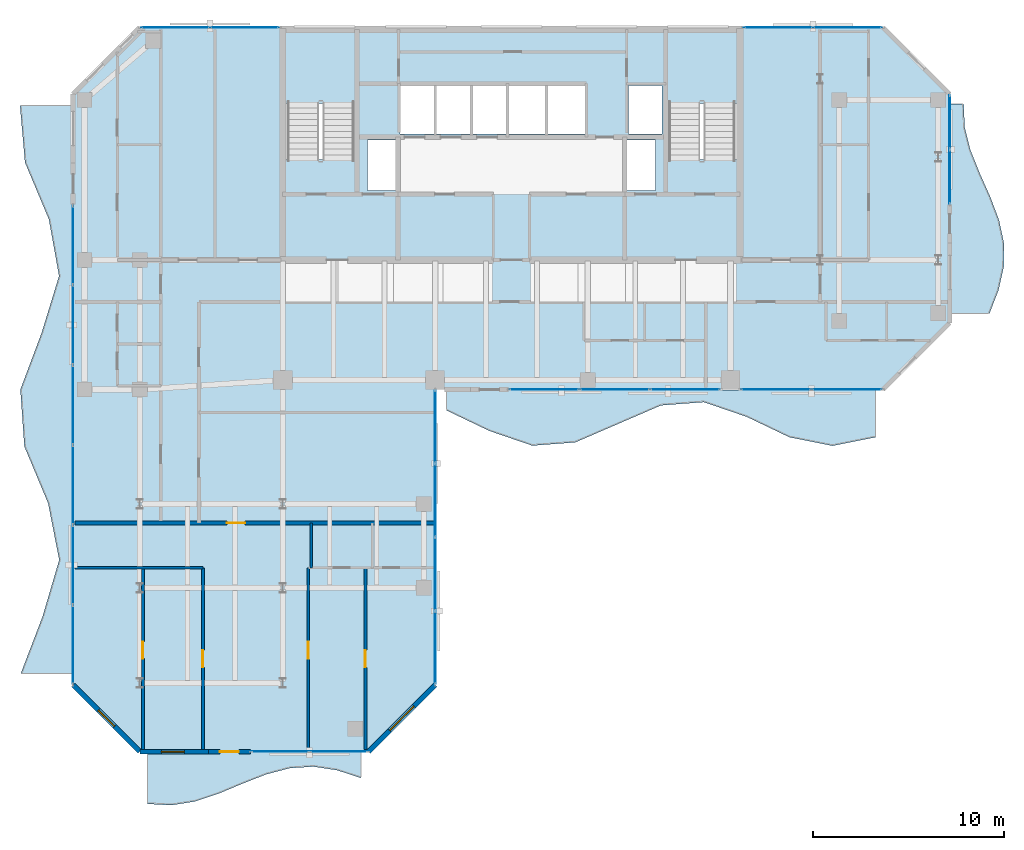
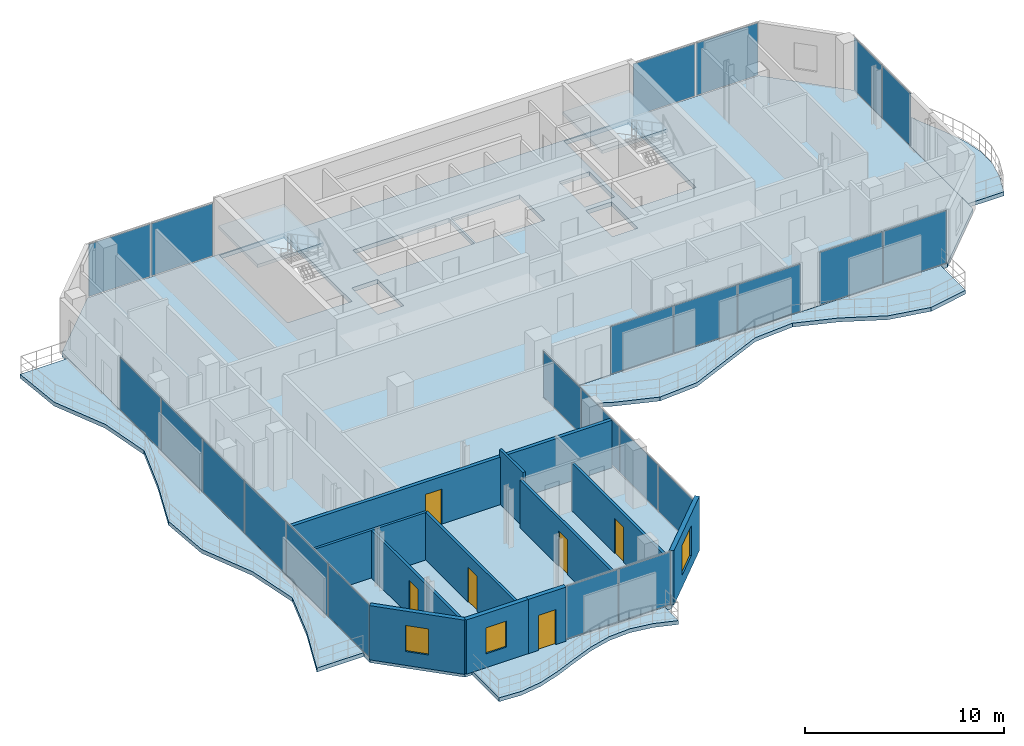
# One storey, part 17 of 23: 23 plates, 11 walls, 7 slabs, 6 doors, 3 windows, 9 openings, 10 elements without a shape of their own.
"""IFC4 building model written with IfcOpenShell, lengths in metres."""

from ifc_helpers import new_model, si_unit, direction, frame, frame_2d, origin, origin_2d, place, context, subcontext, project, spatial, polyline, rectangle, outline, extrude, material, layer, layer_set, type_object, element, fill, aggregate, save


model = new_model("IFC4")

# Units and contexts
model_context = context("Model", 3, precision=1e-05, world=origin(), true_north=direction((0.0, 1.0)))
body_context = subcontext(model_context, "Body", "Model", "MODEL_VIEW")
ifc_project = project(units=[si_unit("LENGTHUNIT", "METRE"), si_unit("AREAUNIT", "SQUARE_METRE"), si_unit("VOLUMEUNIT", "CUBIC_METRE"), si_unit("PLANEANGLEUNIT", "RADIAN"), si_unit("MASSUNIT", "GRAM", prefix="KILO")], contexts=[model_context])

# Site, building, storey
site_placement = place(None, origin())
site = spatial("IfcSite", under=ifc_project, at=site_placement, CompositionType="ELEMENT")
building_placement = place(site_placement, origin())
building = spatial("IfcBuilding", under=site, at=building_placement, Name="Catumbela Crestline Tower", CompositionType="ELEMENT")
storey_placement = place(building_placement, frame((0.0, 0.0, 186.6)))
storey = spatial("IfcBuildingStorey", under=building, at=storey_placement, Name="L48", CompositionType="ELEMENT", Elevation=186.6)

# Curtain wall, plates
ifc_material_1 = material(Name="Aluminium alloy AW-6060-T66", Category="aluminium")
ifc_layer_1 = layer(ifc_material_1, 0.18, Name="Aluminium alloy AW-6060-T66")
ifc_layer_set_1 = layer_set([ifc_layer_1], Name="Aluminium alloy AW-6060-T66")
curtain_wall_type = type_object("IfcCurtainWallType", Name="CWU-Z3", PredefinedType="USERDEFINED", material=ifc_layer_set_1)
curtain_wall_1_placement = place(storey_placement, origin())
curtain_wall_1 = element("IfcCurtainWall", 1, at=curtain_wall_1_placement, inside=storey, type_object=curtain_wall_type, Name="L48 Unitised Curtain Wall CW-L48-E0S2", ObjectType="UNITISED", PredefinedType="USERDEFINED")
ifc_material_2 = material(Name="Low-E laminated solar-control double glazing", Category="glass")
ifc_layer_2 = layer(ifc_material_2, 0.036, Name="Low-E laminated solar-control double glazing")
ifc_layer_set_2 = layer_set([ifc_layer_2], Name="Low-E laminated solar-control double glazing")
plate_type = type_object("IfcPlateType", Name="PNL-GLZ-Z3", PredefinedType="CURTAIN_PANEL", material=ifc_layer_set_2)
plate_1_placement = place(storey_placement, frame((15.8662, 5.0, 0.06), z_axis=(0.0, 0.0, 1.0), x_axis=(1.0, 0.0, 0.0)))
plate_1 = element("IfcPlate", 2, at=plate_1_placement, type_object=plate_type, Name="CWU-Z3 panel 1.1", PredefinedType="CURTAIN_PANEL", context=body_context, shape_type="SweptSolid", body=[
    extrude(rectangle(XDim=3.0025, YDim=0.034, at=origin_2d()), origin(), (0.0, 0.0, 1.0), 3.21),
])
plate_2_placement = place(storey_placement, frame((18.9338, 5.0, 0.06), z_axis=(0.0, 0.0, 1.0), x_axis=(1.0, 0.0, 0.0)))
plate_2 = element("IfcPlate", 3, at=plate_2_placement, type_object=plate_type, Name="CWU-Z3 panel 2.1", PredefinedType="CURTAIN_PANEL", context=body_context, shape_type="SweptSolid", body=[
    extrude(rectangle(XDim=3.0025, YDim=0.034, at=origin_2d()), origin(), (0.0, 0.0, 1.0), 3.21),
])
aggregate(curtain_wall_1, [plate_1, plate_2])

curtain_wall_2_placement = place(storey_placement, origin())
curtain_wall_2 = element("IfcCurtainWall", 4, at=curtain_wall_2_placement, inside=storey, type_object=curtain_wall_type, Name="L48 Unitised Curtain Wall CW-L48-E2S1", ObjectType="UNITISED", PredefinedType="USERDEFINED")
plate_3_placement = place(storey_placement, frame((24.0, 10.4538, 0.06), z_axis=(0.0, 0.0, 1.0), x_axis=(0.0, 1.0, 0.0)))
plate_3 = element("IfcPlate", 5, at=plate_3_placement, type_object=plate_type, Name="CWU-Z3 panel 1.1", PredefinedType="CURTAIN_PANEL", context=body_context, shape_type="SweptSolid", body=[
    extrude(rectangle(XDim=3.7775, YDim=0.034, at=origin_2d()), origin(), (0.0, 0.0, 1.0), 2.8),
])
plate_4_placement = place(storey_placement, frame((24.0, 14.3125, 0.06), z_axis=(0.0, 0.0, 1.0), x_axis=(0.0, 1.0, 0.0)))
plate_4 = element("IfcPlate", 6, at=plate_4_placement, type_object=plate_type, Name="CWU-Z3 panel 2.1", PredefinedType="CURTAIN_PANEL", context=body_context, shape_type="SweptSolid", body=[
    extrude(rectangle(XDim=3.81, YDim=0.034, at=origin_2d()), origin(), (0.0, 0.0, 1.0), 2.8),
])
plate_5_placement = place(storey_placement, frame((24.0, 18.1875, 0.06), z_axis=(0.0, 0.0, 1.0), x_axis=(0.0, 1.0, 0.0)))
plate_5 = element("IfcPlate", 7, at=plate_5_placement, type_object=plate_type, Name="CWU-Z3 panel 3.1", PredefinedType="CURTAIN_PANEL", context=body_context, shape_type="SweptSolid", body=[
    extrude(rectangle(XDim=3.81, YDim=0.034, at=origin_2d()), origin(), (0.0, 0.0, 1.0), 2.8),
])
plate_6_placement = place(storey_placement, frame((24.0, 22.0462, 0.06), z_axis=(0.0, 0.0, 1.0), x_axis=(0.0, 1.0, 0.0)))
plate_6 = element("IfcPlate", 8, at=plate_6_placement, type_object=plate_type, Name="CWU-Z3 panel 4.1", PredefinedType="CURTAIN_PANEL", context=body_context, shape_type="SweptSolid", body=[
    extrude(rectangle(XDim=3.7775, YDim=0.034, at=origin_2d()), origin(), (0.0, 0.0, 1.0), 2.8),
])
aggregate(curtain_wall_2, [plate_3, plate_4, plate_5, plate_6])

curtain_wall_3_placement = place(storey_placement, origin())
curtain_wall_3 = element("IfcCurtainWall", 9, at=curtain_wall_3_placement, inside=storey, type_object=curtain_wall_type, Name="L48 Unitised Curtain Wall CW-L48-E3S2", ObjectType="UNITISED", PredefinedType="USERDEFINED")
plate_7_placement = place(storey_placement, frame((29.7246, 24.0, 0.06), z_axis=(0.0, 0.0, 1.0), x_axis=(1.0, 0.0, 0.0)))
plate_7 = element("IfcPlate", 10, at=plate_7_placement, type_object=plate_type, Name="CWU-Z3 panel 1.1", PredefinedType="CURTAIN_PANEL", context=body_context, shape_type="SweptSolid", body=[
    extrude(rectangle(XDim=3.6192, YDim=0.034, at=origin_2d()), origin(), (0.0, 0.0, 1.0), 2.9),
])
plate_8_placement = place(storey_placement, frame((33.425, 24.0, 0.06), z_axis=(0.0, 0.0, 1.0), x_axis=(1.0, 0.0, 0.0)))
plate_8 = element("IfcPlate", 11, at=plate_8_placement, type_object=plate_type, Name="CWU-Z3 panel 2.1", PredefinedType="CURTAIN_PANEL", context=body_context, shape_type="SweptSolid", body=[
    extrude(rectangle(XDim=3.6517, YDim=0.034, at=origin_2d()), origin(), (0.0, 0.0, 1.0), 2.9),
])
plate_9_placement = place(storey_placement, frame((37.1254, 24.0, 0.06), z_axis=(0.0, 0.0, 1.0), x_axis=(1.0, 0.0, 0.0)))
plate_9 = element("IfcPlate", 12, at=plate_9_placement, type_object=plate_type, Name="CWU-Z3 panel 3.1", PredefinedType="CURTAIN_PANEL", context=body_context, shape_type="SweptSolid", body=[
    extrude(rectangle(XDim=3.6192, YDim=0.034, at=origin_2d()), origin(), (0.0, 0.0, 1.0), 2.9),
])
aggregate(curtain_wall_3, [plate_7, plate_8, plate_9])

curtain_wall_4_placement = place(storey_placement, origin())
curtain_wall_4 = element("IfcCurtainWall", 13, at=curtain_wall_4_placement, inside=storey, type_object=curtain_wall_type, Name="L48 Unitised Curtain Wall CW-L48-E3S3", ObjectType="UNITISED", PredefinedType="USERDEFINED")
plate_10_placement = place(storey_placement, frame((41.8912, 24.0, 0.06), z_axis=(0.0, 0.0, 1.0), x_axis=(1.0, 0.0, 0.0)))
plate_10 = element("IfcPlate", 14, at=plate_10_placement, type_object=plate_type, Name="CWU-Z3 panel 1.1", PredefinedType="CURTAIN_PANEL", context=body_context, shape_type="SweptSolid", body=[
    extrude(rectangle(XDim=3.6525, YDim=0.034, at=origin_2d()), origin(), (0.0, 0.0, 1.0), 3.21),
])
plate_11_placement = place(storey_placement, frame((45.6088, 24.0, 0.06), z_axis=(0.0, 0.0, 1.0), x_axis=(1.0, 0.0, 0.0)))
plate_11 = element("IfcPlate", 15, at=plate_11_placement, type_object=plate_type, Name="CWU-Z3 panel 2.1", PredefinedType="CURTAIN_PANEL", context=body_context, shape_type="SweptSolid", body=[
    extrude(rectangle(XDim=3.6525, YDim=0.034, at=origin_2d()), origin(), (0.0, 0.0, 1.0), 3.21),
])
aggregate(curtain_wall_4, [plate_10, plate_11])

curtain_wall_5_placement = place(storey_placement, origin())
curtain_wall_5 = element("IfcCurtainWall", 16, at=curtain_wall_5_placement, inside=storey, type_object=curtain_wall_type, Name="L48 Unitised Curtain Wall CW-L48-E5S2", ObjectType="UNITISED", PredefinedType="USERDEFINED")
plate_12_placement = place(storey_placement, frame((51.0, 35.1662, 0.06), z_axis=(0.0, 0.0, 1.0), x_axis=(0.0, 1.0, 0.0)))
plate_12 = element("IfcPlate", 17, at=plate_12_placement, type_object=plate_type, Name="CWU-Z3 panel 1.1", PredefinedType="CURTAIN_PANEL", context=body_context, shape_type="SweptSolid", body=[
    extrude(rectangle(XDim=2.8025, YDim=0.034, at=origin_2d()), origin(), (0.0, 0.0, 1.0), 3.21),
])
plate_13_placement = place(storey_placement, frame((51.0, 38.0338, 0.06), z_axis=(0.0, 0.0, 1.0), x_axis=(0.0, 1.0, 0.0)))
plate_13 = element("IfcPlate", 18, at=plate_13_placement, type_object=plate_type, Name="CWU-Z3 panel 2.1", PredefinedType="CURTAIN_PANEL", context=body_context, shape_type="SweptSolid", body=[
    extrude(rectangle(XDim=2.8025, YDim=0.034, at=origin_2d()), origin(), (0.0, 0.0, 1.0), 3.21),
])
aggregate(curtain_wall_5, [plate_12, plate_13])

curtain_wall_6_placement = place(storey_placement, origin())
curtain_wall_6 = element("IfcCurtainWall", 19, at=curtain_wall_6_placement, inside=storey, type_object=curtain_wall_type, Name="L48 Unitised Curtain Wall CW-L48-E7S1", ObjectType="UNITISED", PredefinedType="USERDEFINED")
plate_14_placement = place(storey_placement, frame((45.6438, 43.0, 0.06), z_axis=(0.0, 0.0, 1.0), x_axis=(-1.0, 0.0, 0.0)))
plate_14 = element("IfcPlate", 20, at=plate_14_placement, type_object=plate_type, Name="CWU-Z3 panel 1.1", PredefinedType="CURTAIN_PANEL", context=body_context, shape_type="SweptSolid", body=[
    extrude(rectangle(XDim=3.5825, YDim=0.034, at=origin_2d()), origin(), (0.0, 0.0, 1.0), 3.21),
])
plate_15_placement = place(storey_placement, frame((41.9963, 43.0, 0.06), z_axis=(0.0, 0.0, 1.0), x_axis=(-1.0, 0.0, 0.0)))
plate_15 = element("IfcPlate", 21, at=plate_15_placement, type_object=plate_type, Name="CWU-Z3 panel 2.1", PredefinedType="CURTAIN_PANEL", context=body_context, shape_type="SweptSolid", body=[
    extrude(rectangle(XDim=3.5825, YDim=0.034, at=origin_2d()), origin(), (0.0, 0.0, 1.0), 3.21),
])
aggregate(curtain_wall_6, [plate_14, plate_15])

curtain_wall_7_placement = place(storey_placement, origin())
curtain_wall_7 = element("IfcCurtainWall", 22, at=curtain_wall_7_placement, inside=storey, type_object=curtain_wall_type, Name="L48 Unitised Curtain Wall CW-L48-E7S2", ObjectType="UNITISED", PredefinedType="USERDEFINED")
plate_16_placement = place(storey_placement, frame((14.0038, 43.0, 0.06), z_axis=(0.0, 0.0, 1.0), x_axis=(-1.0, 0.0, 0.0)))
plate_16 = element("IfcPlate", 23, at=plate_16_placement, type_object=plate_type, Name="CWU-Z3 panel 1.1", PredefinedType="CURTAIN_PANEL", context=body_context, shape_type="SweptSolid", body=[
    extrude(rectangle(XDim=3.5825, YDim=0.034, at=origin_2d()), origin(), (0.0, 0.0, 1.0), 3.21),
])
plate_17_placement = place(storey_placement, frame((10.3562, 43.0, 0.06), z_axis=(0.0, 0.0, 1.0), x_axis=(-1.0, 0.0, 0.0)))
plate_17 = element("IfcPlate", 24, at=plate_17_placement, type_object=plate_type, Name="CWU-Z3 panel 2.1", PredefinedType="CURTAIN_PANEL", context=body_context, shape_type="SweptSolid", body=[
    extrude(rectangle(XDim=3.5825, YDim=0.034, at=origin_2d()), origin(), (0.0, 0.0, 1.0), 3.21),
])
aggregate(curtain_wall_7, [plate_16, plate_17])

curtain_wall_8_placement = place(storey_placement, origin())
curtain_wall_8 = element("IfcCurtainWall", 25, at=curtain_wall_8_placement, inside=storey, type_object=curtain_wall_type, Name="L48 Unitised Curtain Wall CW-L48-E9S2", ObjectType="UNITISED", PredefinedType="USERDEFINED")
plate_18_placement = place(storey_placement, frame((5.0, 31.5838, 0.06), z_axis=(0.0, 0.0, 1.0), x_axis=(0.0, -1.0, 0.0)))
plate_18 = element("IfcPlate", 26, at=plate_18_placement, type_object=plate_type, Name="CWU-Z3 panel 1.1", PredefinedType="CURTAIN_PANEL", context=body_context, shape_type="SweptSolid", body=[
    extrude(rectangle(XDim=4.1025, YDim=0.034, at=origin_2d()), origin(), (0.0, 0.0, 1.0), 3.21),
])
plate_19_placement = place(storey_placement, frame((5.0, 27.4, 0.06), z_axis=(0.0, 0.0, 1.0), x_axis=(0.0, -1.0, 0.0)))
plate_19 = element("IfcPlate", 27, at=plate_19_placement, type_object=plate_type, Name="CWU-Z3 panel 2.1", PredefinedType="CURTAIN_PANEL", context=body_context, shape_type="SweptSolid", body=[
    extrude(rectangle(XDim=4.135, YDim=0.034, at=origin_2d()), origin(), (0.0, 0.0, 1.0), 3.21),
])
plate_20_placement = place(storey_placement, frame((5.0, 23.2, 0.06), z_axis=(0.0, 0.0, 1.0), x_axis=(0.0, -1.0, 0.0)))
plate_20 = element("IfcPlate", 28, at=plate_20_placement, type_object=plate_type, Name="CWU-Z3 panel 3.1", PredefinedType="CURTAIN_PANEL", context=body_context, shape_type="SweptSolid", body=[
    extrude(rectangle(XDim=4.135, YDim=0.034, at=origin_2d()), origin(), (0.0, 0.0, 1.0), 3.21),
])
plate_21_placement = place(storey_placement, frame((5.0, 19.0, 0.06), z_axis=(0.0, 0.0, 1.0), x_axis=(0.0, -1.0, 0.0)))
plate_21 = element("IfcPlate", 29, at=plate_21_placement, type_object=plate_type, Name="CWU-Z3 panel 4.1", PredefinedType="CURTAIN_PANEL", context=body_context, shape_type="SweptSolid", body=[
    extrude(rectangle(XDim=4.135, YDim=0.034, at=origin_2d()), origin(), (0.0, 0.0, 1.0), 3.21),
])
plate_22_placement = place(storey_placement, frame((5.0, 14.8, 0.06), z_axis=(0.0, 0.0, 1.0), x_axis=(0.0, -1.0, 0.0)))
plate_22 = element("IfcPlate", 30, at=plate_22_placement, type_object=plate_type, Name="CWU-Z3 panel 5.1", PredefinedType="CURTAIN_PANEL", context=body_context, shape_type="SweptSolid", body=[
    extrude(rectangle(XDim=4.135, YDim=0.034, at=origin_2d()), origin(), (0.0, 0.0, 1.0), 3.21),
])
plate_23_placement = place(storey_placement, frame((5.0, 10.6163, 0.06), z_axis=(0.0, 0.0, 1.0), x_axis=(0.0, -1.0, 0.0)))
plate_23 = element("IfcPlate", 31, at=plate_23_placement, type_object=plate_type, Name="CWU-Z3 panel 6.1", PredefinedType="CURTAIN_PANEL", context=body_context, shape_type="SweptSolid", body=[
    extrude(rectangle(XDim=4.1025, YDim=0.034, at=origin_2d()), origin(), (0.0, 0.0, 1.0), 3.21),
])
aggregate(curtain_wall_8, [plate_18, plate_19, plate_20, plate_21, plate_22, plate_23])

# Stair, slab
ifc_material_3 = material(Name="Concrete C45/55", Category="concrete")
stair_type = type_object("IfcStairType", Name="ST-DLG", PredefinedType="HALF_TURN_STAIR", material=ifc_material_3)
stair_1_placement = place(storey_placement, origin())
stair_1 = element("IfcStair", 32, at=stair_1_placement, inside=storey, type_object=stair_type, Name="L48 West Core Pressurised Exit Stair ST-01", PredefinedType="HALF_TURN_STAIR")
ifc_layer_3 = layer(ifc_material_3, 0.2, Name="Concrete C45/55")
ifc_layer_set_3 = layer_set([ifc_layer_3], Name="Concrete C45/55")
slab_type_1 = type_object("IfcSlabType", Name="SL-LND", PredefinedType="LANDING", material=ifc_layer_set_3)
slab_1_placement = place(storey_placement, frame((0.0, 0.0, 1.6)))
slab_1 = element("IfcSlab", 33, at=slab_1_placement, type_object=slab_type_1, Name="ST-01 landing 1", PredefinedType="LANDING", context=body_context, shape_type="SweptSolid", body=[
    extrude(outline(polyline([(19.91, 39.02), (19.91, 42.96), (16.09, 42.96), (16.09, 39.02), (19.91, 39.02)])), origin(), (0.0, 0.0, 1.0), 0.2),
])
aggregate(stair_1, [slab_1])

stair_2_placement = place(storey_placement, origin())
stair_2 = element("IfcStair", 34, at=stair_2_placement, inside=storey, type_object=stair_type, Name="L48 East Core Pressurised Exit Stair ST-02", PredefinedType="HALF_TURN_STAIR")
slab_2_placement = place(storey_placement, frame((0.0, 0.0, 1.6)))
slab_2 = element("IfcSlab", 35, at=slab_2_placement, type_object=slab_type_1, Name="ST-02 landing 1", PredefinedType="LANDING", context=body_context, shape_type="SweptSolid", body=[
    extrude(outline(polyline([(39.91, 39.02), (39.91, 42.96), (36.09, 42.96), (36.09, 39.02), (39.91, 39.02)])), origin(), (0.0, 0.0, 1.0), 0.2),
])
aggregate(stair_2, [slab_2])

# Slabs
ifc_layer_4 = layer(ifc_material_3, 0.26, Name="Concrete C45/55")
ifc_layer_set_4 = layer_set([ifc_layer_4], Name="Concrete C45/55")
slab_type_2 = type_object("IfcSlabType", Name="SL-260", PredefinedType="FLOOR", material=ifc_layer_set_4)
slab_3_placement = place(storey_placement, frame((0.0, 0.0, -0.26)))
element("IfcSlab", 36, at=slab_3_placement, inside=storey, type_object=slab_type_2, Name="L48 Structural Floor Slab", PredefinedType="FLOOR", context=body_context, shape_type="SweptSolid", body=[
    extrude(outline(polyline([(8.5, 5.0), (20.5, 5.0), (24.0, 8.5), (24.0, 24.0), (47.5, 24.0), (51.0, 27.5), (51.0, 39.5), (47.5, 43.0), (8.5, 43.0), (5.0, 39.5), (5.0, 8.5), (8.5, 5.0)]), holes=[polyline([(16.13, 36.08), (19.87, 36.08), (19.87, 42.92), (16.13, 42.92), (16.13, 36.08)]), polyline([(36.13, 36.08), (39.87, 36.08), (39.87, 42.92), (36.13, 42.92), (36.13, 36.08)]), polyline([(22.15, 37.4), (27.75, 37.4), (27.75, 39.95), (22.15, 39.95), (22.15, 37.4)]), polyline([(27.85, 37.4), (31.85, 37.4), (31.85, 39.95), (27.85, 39.95), (27.85, 37.4)]), polyline([(20.45, 34.45), (21.95, 34.45), (21.95, 37.1), (20.45, 37.1), (20.45, 34.45)]), polyline([(34.05, 34.45), (35.55, 34.45), (35.55, 37.1), (34.05, 37.1), (34.05, 34.45)]), polyline([(34.15, 37.4), (35.9, 37.4), (35.9, 39.95), (34.15, 39.95), (34.15, 37.4)])]), origin(), (0.0, 0.0, 1.0), 0.26),
])
ifc_layer_5 = layer(ifc_material_3, 0.24, Name="Concrete C45/55")
ifc_layer_set_5 = layer_set([ifc_layer_5], Name="Concrete C45/55")
slab_type_3 = type_object("IfcSlabType", Name="SB-240W", PredefinedType="USERDEFINED", material=ifc_layer_set_5)
slab_4_placement = place(storey_placement, frame((0.0, 0.0, -0.24)))
element("IfcSlab", 37, at=slab_4_placement, inside=storey, type_object=slab_type_3, Name="L48 Cantilevered Wave Balcony Slab SPINE-S", ObjectType="BALCONY", PredefinedType="USERDEFINED", context=body_context, shape_type="SweptSolid", body=[
    extrude(outline(polyline([(24.6, 22.9053), (26.85, 21.8292), (29.1, 21.0587), (31.35, 21.2292), (33.6, 22.2), (35.85, 23.1708), (38.1, 23.3413), (40.35, 22.5708), (42.6, 21.4947), (44.85, 21.05), (47.1, 21.4947), (47.1, 23.99), (24.6, 23.99), (24.6, 22.9053)])), origin(), (0.0, 0.0, 1.0), 0.24),
])
slab_5_placement = place(storey_placement, frame((0.0, 0.0, -0.24)))
element("IfcSlab", 38, at=slab_5_placement, inside=storey, type_object=slab_type_3, Name="L48 Cantilevered Wave Balcony Slab SPINE-E", ObjectType="BALCONY", PredefinedType="USERDEFINED", context=body_context, shape_type="SweptSolid", body=[
    extrude(outline(polyline([(51.01, 28.0), (53.0898, 28.0), (53.5623, 29.2222), (53.8394, 30.4444), (53.8499, 31.6667), (53.5912, 32.8889), (53.1296, 34.1111), (52.5835, 35.3333), (52.0929, 36.5556), (51.7836, 37.7778), (51.735, 39.0), (51.01, 39.0), (51.01, 28.0)])), origin(), (0.0, 0.0, 1.0), 0.24),
])
slab_6_placement = place(storey_placement, frame((0.0, 0.0, -0.24)))
element("IfcSlab", 39, at=slab_6_placement, inside=storey, type_object=slab_type_3, Name="L48 Cantilevered Wave Balcony Slab WING-S", ObjectType="BALCONY", PredefinedType="USERDEFINED", context=body_context, shape_type="SweptSolid", body=[
    extrude(outline(polyline([(8.9, 2.2602), (10.1444, 2.1876), (11.3889, 2.384), (12.6333, 2.7971), (13.8778, 3.3172), (15.1222, 3.8062), (16.3667, 4.1342), (17.6111, 4.214), (18.8556, 4.0245), (20.1, 3.616), (20.1, 4.99), (8.9, 4.99), (8.9, 2.2602)])), origin(), (0.0, 0.0, 1.0), 0.24),
])
slab_7_placement = place(storey_placement, frame((0.0, 0.0, -0.24)))
element("IfcSlab", 40, at=slab_7_placement, inside=storey, type_object=slab_type_3, Name="L48 Cantilevered Wave Balcony Slab WEST", ObjectType="BALCONY", PredefinedType="USERDEFINED", context=body_context, shape_type="SweptSolid", body=[
    extrude(outline(polyline([(4.99, 38.9), (2.2126, 38.9), (2.4721, 35.92), (3.7259, 32.94), (4.2614, 29.96), (3.3469, 26.98), (2.2318, 24.0), (2.4393, 21.02), (3.686, 18.04), (4.2688, 15.06), (3.3916, 12.08), (2.2527, 9.1), (4.99, 9.1), (4.99, 38.9)])), origin(), (0.0, 0.0, 1.0), 0.24),
])

# Wall, opening, door
ifc_material_4 = material(Name="Angolan grey-ochre granite", Category="masonry")
ifc_layer_6 = layer(ifc_material_4, 0.25, Name="Angolan grey-ochre granite")
ifc_layer_set_6 = layer_set([ifc_layer_6], Name="Angolan grey-ochre granite")
wall_type_1 = type_object("IfcWallType", Name="WE-250", PredefinedType="STANDARD", material=ifc_layer_set_6)
wall_1_placement = place(storey_placement, frame((12.1, 5.0, 0.0), z_axis=(0.0, 0.0, 1.0), x_axis=(1.0, 0.0, 0.0)))
wall_1 = element("IfcWall", 41, at=wall_1_placement, inside=storey, type_object=wall_type_1, Name="L48 Exterior Threshold Portal Wall DR-L48-WBAL-3", PredefinedType="STANDARD", context=body_context, shape_type="SweptSolid", body=[
    extrude(rectangle(XDim=2.2, YDim=0.25, at=frame_2d((1.1, 0.0))), origin(), (0.0, 0.0, 1.0), 3.33),
])
opening_1_placement = place(wall_1_placement, frame((0.6, 0.0, 0.0)))
opening_1 = element("IfcOpeningElement", 42, at=opening_1_placement, cuts=wall_1, Name="Opening DB-L48-3", PredefinedType="OPENING", context=body_context, shape_type="SweptSolid", body=[
    extrude(rectangle(XDim=1.0, YDim=2.15, at=frame_2d((0.5, 1.075))), frame((0.0, 0.135, 0.0), z_axis=(0.0, -1.0, 0.0), x_axis=(1.0, 0.0, 0.0)), (0.0, 0.0, 1.0), 0.27),
])
door_type_1 = type_object("IfcDoorType", Name="DB-1000", OperationType="NOTDEFINED", PredefinedType="DOOR", material=ifc_material_1)
door_1_placement = place(opening_1_placement, origin())
door_1 = element("IfcDoor", 43, at=door_1_placement, inside=storey, type_object=door_type_1, Name="L48 Wave Balcony Terrace Door 3", OperationType="SINGLE_SWING_RIGHT", OverallHeight=2.15, OverallWidth=1.0, PredefinedType="DOOR", context=body_context, shape_type="SweptSolid", body=[
    extrude(rectangle(XDim=1.0, YDim=2.15, at=frame_2d((0.5, 1.075))), frame((0.0, 0.025, 0.0), z_axis=(0.0, -1.0, 0.0), x_axis=(1.0, 0.0, 0.0)), (0.0, 0.0, 1.0), 0.05),
])
fill(opening_1, door_1)

# Wall, opening, window
wall_2_placement = place(storey_placement, frame((8.5, 5.0, 0.0), z_axis=(0.0, 0.0, 1.0), x_axis=(1.0, 0.0, 0.0)))
wall_2 = element("IfcWall", 44, at=wall_2_placement, inside=storey, type_object=wall_type_1, Name="L48 Granite Punched Window Wall 0-1", PredefinedType="STANDARD", context=body_context, shape_type="SweptSolid", body=[
    extrude(rectangle(XDim=3.6, YDim=0.25, at=frame_2d((1.8, 0.0))), origin(), (0.0, 0.0, 1.0), 3.33),
])
opening_2_placement = place(wall_2_placement, frame((1.135, 0.0, 0.85)))
opening_2 = element("IfcOpeningElement", 45, at=opening_2_placement, cuts=wall_2, Name="Opening WN-02", PredefinedType="OPENING", context=body_context, shape_type="SweptSolid", body=[
    extrude(rectangle(XDim=1.2, YDim=1.6, at=frame_2d((0.6, 0.8))), frame((0.0, 0.135, 0.0), z_axis=(0.0, -1.0, 0.0), x_axis=(1.0, 0.0, 0.0)), (0.0, 0.0, 1.0), 0.27),
])
window_type_1 = type_object("IfcWindowType", Name="WO-1200", PartitioningType="SINGLE_PANEL", PredefinedType="WINDOW", material=ifc_material_2)
window_1_placement = place(opening_2_placement, origin())
window_1 = element("IfcWindow", 46, at=window_1_placement, inside=storey, type_object=window_type_1, Name="L48 Facade Vision Window 304", OverallHeight=1.6, OverallWidth=1.2, PartitioningType="SINGLE_PANEL", PredefinedType="WINDOW", context=body_context, shape_type="SweptSolid", body=[
    extrude(rectangle(XDim=1.2, YDim=1.6, at=frame_2d((0.6, 0.8))), frame((0.0, 0.03, 0.0), z_axis=(0.0, -1.0, 0.0), x_axis=(1.0, 0.0, 0.0)), (0.0, 0.0, 1.0), 0.06),
])
fill(opening_2, window_1)

wall_3_placement = place(storey_placement, frame((20.5, 5.0, 0.0), z_axis=(0.0, 0.0, 1.0), x_axis=(0.707106781187, 0.707106781187, 0.0)))
wall_3 = element("IfcWall", 47, at=wall_3_placement, inside=storey, type_object=wall_type_1, Name="L48 Granite Punched Window Wall 1-1", PredefinedType="STANDARD", context=body_context, shape_type="SweptSolid", body=[
    extrude(rectangle(XDim=4.9497, YDim=0.25, at=frame_2d((2.4748, 0.0))), origin(), (0.0, 0.0, 1.0), 3.33),
])
opening_3_placement = place(wall_3_placement, frame((1.5749, 0.0, 0.75)))
opening_3 = element("IfcOpeningElement", 48, at=opening_3_placement, cuts=wall_3, Name="Opening WN-01", PredefinedType="OPENING", context=body_context, shape_type="SweptSolid", body=[
    extrude(rectangle(XDim=1.8, YDim=1.85, at=frame_2d((0.9, 0.925))), frame((0.0, 0.135, 0.0), z_axis=(0.0, -1.0, 0.0), x_axis=(1.0, 0.0, 0.0)), (0.0, 0.0, 1.0), 0.27),
])
window_type_2 = type_object("IfcWindowType", Name="WF-1800", PartitioningType="SINGLE_PANEL", PredefinedType="WINDOW", material=ifc_material_2)
window_2_placement = place(opening_3_placement, origin())
window_2 = element("IfcWindow", 49, at=window_2_placement, inside=storey, type_object=window_type_2, Name="L48 Facade Vision Window 305", OverallHeight=1.85, OverallWidth=1.8, PartitioningType="SINGLE_PANEL", PredefinedType="WINDOW", context=body_context, shape_type="SweptSolid", body=[
    extrude(rectangle(XDim=1.8, YDim=1.85, at=frame_2d((0.9, 0.925))), frame((0.0, 0.03, 0.0), z_axis=(0.0, -1.0, 0.0), x_axis=(1.0, 0.0, 0.0)), (0.0, 0.0, 1.0), 0.06),
])
fill(opening_3, window_2)

wall_4_placement = place(storey_placement, frame((5.0, 8.5, 0.0), z_axis=(0.0, 0.0, 1.0), x_axis=(0.707106781187, -0.707106781187, 0.0)))
wall_4 = element("IfcWall", 50, at=wall_4_placement, inside=storey, type_object=wall_type_1, Name="L48 Granite Punched Window Wall 10-1", PredefinedType="STANDARD", context=body_context, shape_type="SweptSolid", body=[
    extrude(rectangle(XDim=4.9497, YDim=0.25, at=frame_2d((2.4748, 0.0))), origin(), (0.0, 0.0, 1.0), 3.33),
])
opening_4_placement = place(wall_4_placement, frame((1.8748, 0.0, 0.85)))
opening_4 = element("IfcOpeningElement", 51, at=opening_4_placement, cuts=wall_4, Name="Opening WN-02", PredefinedType="OPENING", context=body_context, shape_type="SweptSolid", body=[
    extrude(rectangle(XDim=1.2, YDim=1.6, at=frame_2d((0.6, 0.8))), frame((0.0, 0.135, 0.0), z_axis=(0.0, -1.0, 0.0), x_axis=(1.0, 0.0, 0.0)), (0.0, 0.0, 1.0), 0.27),
])
window_3_placement = place(opening_4_placement, origin())
window_3 = element("IfcWindow", 52, at=window_3_placement, inside=storey, type_object=window_type_1, Name="L48 Facade Vision Window 312", OverallHeight=1.6, OverallWidth=1.2, PartitioningType="SINGLE_PANEL", PredefinedType="WINDOW", context=body_context, shape_type="SweptSolid", body=[
    extrude(rectangle(XDim=1.2, YDim=1.6, at=frame_2d((0.6, 0.8))), frame((0.0, 0.03, 0.0), z_axis=(0.0, -1.0, 0.0), x_axis=(1.0, 0.0, 0.0)), (0.0, 0.0, 1.0), 0.06),
])
fill(opening_4, window_3)

# Walls
ifc_material_5 = material(Name="Acoustic gypsum and mineral-wool partition")
ifc_layer_7 = layer(ifc_material_5, 0.15, Name="Acoustic gypsum and mineral-wool partition")
ifc_layer_set_7 = layer_set([ifc_layer_7], Name="Acoustic gypsum and mineral-wool partition")
wall_type_2 = type_object("IfcWallType", Name="WP-150", PredefinedType="PARTITIONING", material=ifc_layer_set_7)
wall_5_placement = place(storey_placement, frame((17.5, 14.65, 0.0), z_axis=(0.0, 0.0, 1.0), x_axis=(0.0, 1.0, 0.0)))
element("IfcWall", 53, at=wall_5_placement, inside=storey, type_object=wall_type_2, Name="L48 Interior Partition PW-L48-SH1-KBW", PredefinedType="PARTITIONING", context=body_context, shape_type="SweptSolid", body=[
    extrude(rectangle(XDim=2.35, YDim=0.15, at=frame_2d((1.175, 0.0))), origin(), (0.0, 0.0, 1.0), 3.33),
])
wall_6_placement = place(storey_placement, frame((5.1, 14.65, 0.0), z_axis=(0.0, 0.0, 1.0), x_axis=(1.0, 0.0, 0.0)))
element("IfcWall", 54, at=wall_6_placement, inside=storey, type_object=wall_type_2, Name="L48 Interior Partition PW-L48-SH1-BDLH", PredefinedType="PARTITIONING", context=body_context, shape_type="SweptSolid", body=[
    extrude(rectangle(XDim=6.71, YDim=0.15, at=frame_2d((3.355, 0.0))), origin(), (0.0, 0.0, 1.0), 2.92),
])

# Wall, opening, door
wall_7_placement = place(storey_placement, frame((8.66, 5.1, 0.0), z_axis=(0.0, 0.0, 1.0), x_axis=(0.0, 1.0, 0.0)))
wall_7 = element("IfcWall", 55, at=wall_7_placement, inside=storey, type_object=wall_type_2, Name="L48 Interior Partition PW-L48-SH1-BDL", PredefinedType="PARTITIONING", context=body_context, shape_type="SweptSolid", body=[
    extrude(rectangle(XDim=9.55, YDim=0.15, at=frame_2d((4.775, 0.0))), origin(), (0.0, 0.0, 1.0), 2.92),
])
opening_5_placement = place(wall_7_placement, frame((4.7789, 0.0, 0.0)))
opening_5 = element("IfcOpeningElement", 56, at=opening_5_placement, cuts=wall_7, Name="Opening DI-090", PredefinedType="OPENING", context=body_context, shape_type="SweptSolid", body=[
    extrude(rectangle(XDim=0.9, YDim=2.15, at=frame_2d((0.45, 1.075))), frame((0.0, 0.085, 0.0), z_axis=(0.0, -1.0, 0.0), x_axis=(1.0, 0.0, 0.0)), (0.0, 0.0, 1.0), 0.17),
])
door_type_2 = type_object("IfcDoorType", Name="DI-090", OperationType="NOTDEFINED", PredefinedType="DOOR", material=ifc_material_1)
door_2_placement = place(opening_5_placement, origin())
door_2 = element("IfcDoor", 57, at=door_2_placement, inside=storey, type_object=door_type_2, Name="L48 Interior Door DR-L48-SH1-BD1", OperationType="SINGLE_SWING_LEFT", OverallHeight=2.15, OverallWidth=0.9, PredefinedType="DOOR", context=body_context, shape_type="SweptSolid", body=[
    extrude(rectangle(XDim=0.9, YDim=2.15, at=frame_2d((0.45, 1.075))), frame((0.0, 0.025, 0.0), z_axis=(0.0, -1.0, 0.0), x_axis=(1.0, 0.0, 0.0)), (0.0, 0.0, 1.0), 0.05),
])
fill(opening_5, door_2)

wall_8_placement = place(storey_placement, frame((20.34, 5.1, 0.0), z_axis=(0.0, 0.0, 1.0), x_axis=(0.0, 1.0, 0.0)))
wall_8 = element("IfcWall", 58, at=wall_8_placement, inside=storey, type_object=wall_type_2, Name="L48 Interior Partition PW-L48-SH1-BDR", PredefinedType="PARTITIONING", context=body_context, shape_type="SweptSolid", body=[
    extrude(rectangle(XDim=9.55, YDim=0.15, at=frame_2d((4.775, 0.0))), origin(), (0.0, 0.0, 1.0), 2.92),
])
opening_6_placement = place(wall_8_placement, frame((4.325, 0.0, 0.0)))
opening_6 = element("IfcOpeningElement", 59, at=opening_6_placement, cuts=wall_8, Name="Opening DI-090", PredefinedType="OPENING", context=body_context, shape_type="SweptSolid", body=[
    extrude(rectangle(XDim=0.9, YDim=2.15, at=frame_2d((0.45, 1.075))), frame((0.0, 0.085, 0.0), z_axis=(0.0, -1.0, 0.0), x_axis=(1.0, 0.0, 0.0)), (0.0, 0.0, 1.0), 0.17),
])
door_3_placement = place(opening_6_placement, origin())
door_3 = element("IfcDoor", 60, at=door_3_placement, inside=storey, type_object=door_type_2, Name="L48 Interior Door DR-L48-SH1-BD2", OperationType="SINGLE_SWING_RIGHT", OverallHeight=2.15, OverallWidth=0.9, PredefinedType="DOOR", context=body_context, shape_type="SweptSolid", body=[
    extrude(rectangle(XDim=0.9, YDim=2.15, at=frame_2d((0.45, 1.075))), frame((0.0, 0.025, 0.0), z_axis=(0.0, -1.0, 0.0), x_axis=(1.0, 0.0, 0.0)), (0.0, 0.0, 1.0), 0.05),
])
fill(opening_6, door_3)

wall_9_placement = place(storey_placement, frame((17.34, 5.1, 0.0), z_axis=(0.0, 0.0, 1.0), x_axis=(0.0, 1.0, 0.0)))
wall_9 = element("IfcWall", 61, at=wall_9_placement, inside=storey, type_object=wall_type_2, Name="L48 Interior Partition PW-L48-SH1-STW", PredefinedType="PARTITIONING", context=body_context, shape_type="SweptSolid", body=[
    extrude(rectangle(XDim=9.55, YDim=0.15, at=frame_2d((4.775, 0.0))), origin(), (0.0, 0.0, 1.0), 2.92),
])
opening_7_placement = place(wall_9_placement, frame((4.7789, 0.0, 0.0)))
opening_7 = element("IfcOpeningElement", 62, at=opening_7_placement, cuts=wall_9, Name="Opening DI-090", PredefinedType="OPENING", context=body_context, shape_type="SweptSolid", body=[
    extrude(rectangle(XDim=0.9, YDim=2.15, at=frame_2d((0.45, 1.075))), frame((0.0, 0.085, 0.0), z_axis=(0.0, -1.0, 0.0), x_axis=(1.0, 0.0, 0.0)), (0.0, 0.0, 1.0), 0.17),
])
door_4_placement = place(opening_7_placement, origin())
door_4 = element("IfcDoor", 63, at=door_4_placement, inside=storey, type_object=door_type_2, Name="L48 Interior Door DR-L48-SH1-STDY", OperationType="SINGLE_SWING_RIGHT", OverallHeight=2.15, OverallWidth=0.9, PredefinedType="DOOR", context=body_context, shape_type="SweptSolid", body=[
    extrude(rectangle(XDim=0.9, YDim=2.15, at=frame_2d((0.45, 1.075))), frame((0.0, 0.025, 0.0), z_axis=(0.0, -1.0, 0.0), x_axis=(1.0, 0.0, 0.0)), (0.0, 0.0, 1.0), 0.05),
])
fill(opening_7, door_4)

wall_10_placement = place(storey_placement, frame((11.81, 5.1, 0.0), z_axis=(0.0, 0.0, 1.0), x_axis=(0.0, 1.0, 0.0)))
wall_10 = element("IfcWall", 64, at=wall_10_placement, inside=storey, type_object=wall_type_2, Name="L48 Interior Partition PW-L48-SH1-DNW", PredefinedType="PARTITIONING", context=body_context, shape_type="SweptSolid", body=[
    extrude(rectangle(XDim=9.55, YDim=0.15, at=frame_2d((4.775, 0.0))), origin(), (0.0, 0.0, 1.0), 2.92),
])
opening_8_placement = place(wall_10_placement, frame((4.325, 0.0, 0.0)))
opening_8 = element("IfcOpeningElement", 65, at=opening_8_placement, cuts=wall_10, Name="Opening DI-090", PredefinedType="OPENING", context=body_context, shape_type="SweptSolid", body=[
    extrude(rectangle(XDim=0.9, YDim=2.15, at=frame_2d((0.45, 1.075))), frame((0.0, 0.085, 0.0), z_axis=(0.0, -1.0, 0.0), x_axis=(1.0, 0.0, 0.0)), (0.0, 0.0, 1.0), 0.17),
])
door_5_placement = place(opening_8_placement, origin())
door_5 = element("IfcDoor", 66, at=door_5_placement, inside=storey, type_object=door_type_2, Name="L48 Interior Door DR-L48-SH1-FDIN", OperationType="SINGLE_SWING_LEFT", OverallHeight=2.15, OverallWidth=0.9, PredefinedType="DOOR", context=body_context, shape_type="SweptSolid", body=[
    extrude(rectangle(XDim=0.9, YDim=2.15, at=frame_2d((0.45, 1.075))), frame((0.0, 0.025, 0.0), z_axis=(0.0, -1.0, 0.0), x_axis=(1.0, 0.0, 0.0)), (0.0, 0.0, 1.0), 0.05),
])
fill(opening_8, door_5)

ifc_layer_8 = layer(ifc_material_5, 0.2, Name="Acoustic gypsum and mineral-wool partition")
ifc_layer_set_8 = layer_set([ifc_layer_8], Name="Acoustic gypsum and mineral-wool partition")
wall_type_3 = type_object("IfcWallType", Name="WY-200", PredefinedType="PARTITIONING", material=ifc_layer_set_8)
wall_11_placement = place(storey_placement, frame((5.1, 17.0, 0.0), z_axis=(0.0, 0.0, 1.0), x_axis=(1.0, 0.0, 0.0)))
wall_11 = element("IfcWall", 67, at=wall_11_placement, inside=storey, type_object=wall_type_3, Name="L48 Interior Partition PW-L48-SH-WL", PredefinedType="PARTITIONING", context=body_context, shape_type="SweptSolid", body=[
    extrude(rectangle(XDim=18.8, YDim=0.2, at=frame_2d((9.4, 0.0))), origin(), (0.0, 0.0, 1.0), 2.92),
])
opening_9_placement = place(wall_11_placement, frame((7.975, 0.0, 0.0)))
opening_9 = element("IfcOpeningElement", 68, at=opening_9_placement, cuts=wall_11, Name="Opening DF6-095", PredefinedType="OPENING", context=body_context, shape_type="SweptSolid", body=[
    extrude(rectangle(XDim=0.95, YDim=2.15, at=frame_2d((0.475, 1.075))), frame((0.0, 0.11, 0.0), z_axis=(0.0, -1.0, 0.0), x_axis=(1.0, 0.0, 0.0)), (0.0, 0.0, 1.0), 0.22),
])
door_type_3 = type_object("IfcDoorType", Name="DF6-095", OperationType="NOTDEFINED", PredefinedType="DOOR", material=ifc_material_1)
door_6_placement = place(opening_9_placement, origin())
door_6 = element("IfcDoor", 69, at=door_6_placement, inside=storey, type_object=door_type_3, Name="L48 Interior Door DR-L48-SH1-ENT", OperationType="SINGLE_SWING_LEFT", OverallHeight=2.15, OverallWidth=0.95, PredefinedType="DOOR", context=body_context, shape_type="SweptSolid", body=[
    extrude(rectangle(XDim=0.95, YDim=2.15, at=frame_2d((0.475, 1.075))), frame((0.0, 0.025, 0.0), z_axis=(0.0, -1.0, 0.0), x_axis=(1.0, 0.0, 0.0)), (0.0, 0.0, 1.0), 0.05),
])
fill(opening_9, door_6)

save(model, "model.ifc")
